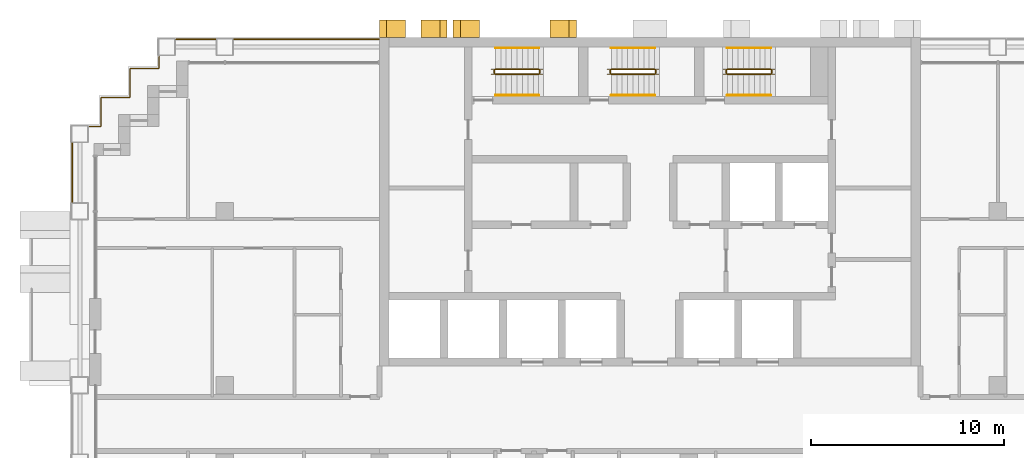
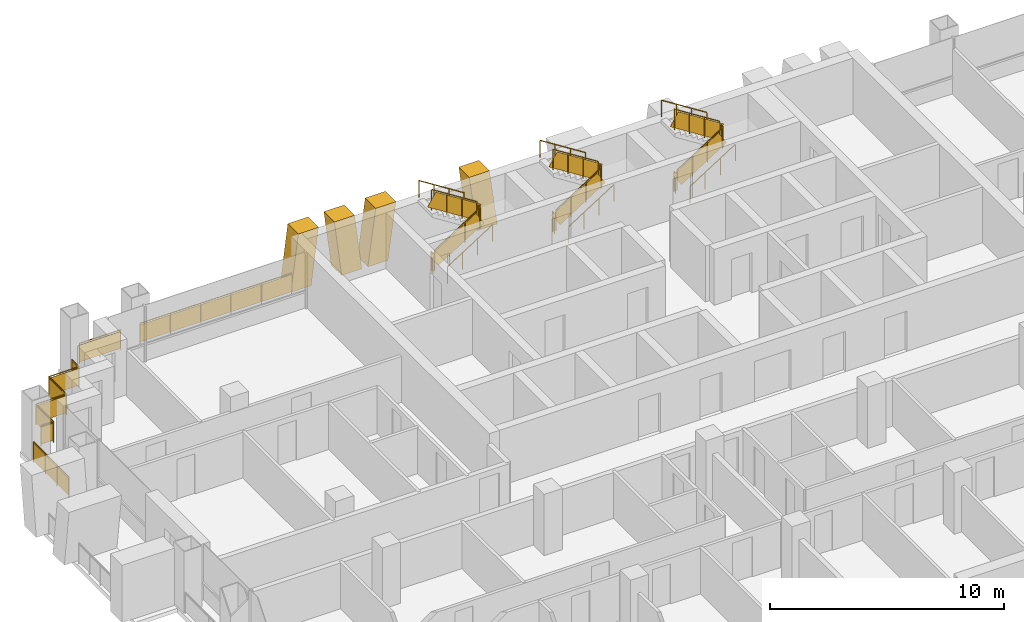
# One storey, part 17 of 19: 22 railings, 4 shading devices.
"""IFC4 building model written with IfcOpenShell, lengths in metres."""

from ifc_helpers import new_model, si_unit, direction, frame, origin, origin_2d, place, context, subcontext, project, spatial, polyline, rectangle, circle, outline, extrude, material, layer, layer_set, type_object, element, save


model = new_model("IFC4")

# Units and contexts
model_context = context("Model", 3, precision=1e-05, world=origin(), true_north=direction((0.0, 1.0)))
body_context = subcontext(model_context, "Body", "Model", "MODEL_VIEW")
ifc_project = project(units=[si_unit("LENGTHUNIT", "METRE"), si_unit("AREAUNIT", "SQUARE_METRE"), si_unit("VOLUMEUNIT", "CUBIC_METRE"), si_unit("PLANEANGLEUNIT", "RADIAN"), si_unit("MASSUNIT", "GRAM", prefix="KILO")], contexts=[model_context])

# Site, building, storey
site_placement = place(None, origin())
site = spatial("IfcSite", under=ifc_project, at=site_placement, CompositionType="ELEMENT")
building_placement = place(site_placement, origin())
building = spatial("IfcBuilding", under=site, at=building_placement, Name="Vidyagriha Tower", CompositionType="ELEMENT")
storey_placement = place(building_placement, frame((0.0, 0.0, 99.89990234375)))
storey = spatial("IfcBuildingStorey", under=building, at=storey_placement, Name="L26", CompositionType="ELEMENT", Elevation=99.89990234375)

# Shading devices
ifc_material_1 = material(Name="Precast concrete C40/50 with brick facing", Category="concrete")
ifc_layer = layer(ifc_material_1, 1.0)
ifc_layer_set = layer_set([ifc_layer], Name="Precast concrete C40/50 with brick facing")
shading_device_type = type_object("IfcShadingDeviceType", Name="Brick-faced rear rib arm leaning 8 degrees", PredefinedType="USERDEFINED", material=ifc_layer_set)
shading_device_1_placement = place(storey_placement, frame((-8.814208984375, 20.449951171875, 0.0), z_axis=(0.0, 0.0, 1.0), x_axis=(-1.0, 0.0, 0.0)))
element("IfcShadingDevice", 1, at=shading_device_1_placement, inside=storey, type_object=shading_device_type, Name="Rear rib arm L26 R08.4a", ObjectType="BLADE FIN", PredefinedType="USERDEFINED", context=body_context, shape_type="SweptSolid", body=[
    extrude(outline(polyline([(0.3857421875, 0.0), (1.3857421875, 0.0), (1.0, 2.920166015625), (0.0, 2.920166015625), (0.3857421875, 0.0)])), frame((0.0, 0.449951171875, 0.0), z_axis=(0.0, -1.0, 0.0), x_axis=(1.0, 0.0, 0.0)), (0.0, 0.0, 1.0), 0.89990234375),
])
shading_device_2_placement = place(storey_placement, frame((-3.800048828125, 20.449951171875, 0.0), z_axis=(0.0, 0.0, 1.0), x_axis=(-1.0, 0.0, 0.0)))
element("IfcShadingDevice", 2, at=shading_device_2_placement, inside=storey, type_object=shading_device_type, Name="Rear rib arm L26 R08.4b", ObjectType="BLADE FIN", PredefinedType="USERDEFINED", context=body_context, shape_type="SweptSolid", body=[
    extrude(outline(polyline([(0.0, 0.0), (1.0, 0.0), (1.3857421875, 2.920166015625), (0.3857421875, 2.920166015625), (0.0, 0.0)])), frame((0.0, 0.449951171875, 0.0), z_axis=(0.0, -1.0, 0.0), x_axis=(1.0, 0.0, 0.0)), (0.0, 0.0, 1.0), 0.89990234375),
])
shading_device_3_placement = place(storey_placement, frame((-12.642822265625, 20.449951171875, 0.0), z_axis=(0.0, 0.0, 1.0), x_axis=(-1.0, 0.0, 0.0)))
element("IfcShadingDevice", 3, at=shading_device_3_placement, inside=storey, type_object=shading_device_type, Name="Rear rib arm L26 R08.5a", ObjectType="BLADE FIN", PredefinedType="USERDEFINED", context=body_context, shape_type="SweptSolid", body=[
    extrude(outline(polyline([(0.357177734375, 0.0), (1.357177734375, 0.0), (1.0, 2.920166015625), (0.0, 2.920166015625), (0.357177734375, 0.0)])), frame((0.0, 0.449951171875, 0.0), z_axis=(0.0, -1.0, 0.0), x_axis=(1.0, 0.0, 0.0)), (0.0, 0.0, 1.0), 0.89990234375),
])
shading_device_4_placement = place(storey_placement, frame((-10.5, 20.449951171875, 0.0), z_axis=(0.0, 0.0, 1.0), x_axis=(-1.0, 0.0, 0.0)))
element("IfcShadingDevice", 4, at=shading_device_4_placement, inside=storey, type_object=shading_device_type, Name="Rear rib arm L26 R08.5b", ObjectType="BLADE FIN", PredefinedType="USERDEFINED", context=body_context, shape_type="SweptSolid", body=[
    extrude(outline(polyline([(0.0, 0.0), (1.0, 0.0), (1.357177734375, 2.920166015625), (0.357177734375, 2.920166015625), (0.0, 0.0)])), frame((0.0, 0.449951171875, 0.0), z_axis=(0.0, -1.0, 0.0), x_axis=(1.0, 0.0, 0.0)), (0.0, 0.0, 1.0), 0.89990234375),
])

# Railings
ifc_material_2 = material(Name="Steel ASTM A500 Grade C black painted", Category="steel")
railing_type_1 = type_object("IfcRailingType", Name="Gallery guard 1100", PredefinedType="GUARDRAIL", material=ifc_material_2)
railing_1_placement = place(storey_placement, frame((-29.89990234375, 11.47998046875, 0.0)))
element("IfcRailing", 5, at=railing_1_placement, inside=storey, type_object=railing_type_1, Name="Gallery guard L26 3", PredefinedType="GUARDRAIL", context=body_context, shape_type="SweptSolid", body=[
    extrude(circle(Radius=0.02490234375, at=origin_2d()), frame((0.0, 0.0, 1.0751953125), z_axis=(0.0, 1.0, 0.0), x_axis=(-1.0, 0.0, 0.0)), (0.0, 0.0, 1.0), 3.0400390625),
    extrude(circle(Radius=0.02001953125, at=origin_2d()), origin(), (0.0, 0.0, 1.0), 1.050048828125),
    extrude(circle(Radius=0.02001953125, at=origin_2d()), frame((0.0, 1.013427734375, 0.0)), (0.0, 0.0, 1.0), 1.050048828125),
    extrude(circle(Radius=0.02001953125, at=origin_2d()), frame((0.0, 2.026611328125, 0.0)), (0.0, 0.0, 1.0), 1.050048828125),
    extrude(circle(Radius=0.02001953125, at=origin_2d()), frame((0.0, 3.0400390625, 0.0)), (0.0, 0.0, 1.0), 1.050048828125),
    extrude(rectangle(XDim=0.010009765625, YDim=0.900146484375, at=origin_2d()), frame((0.0, 0.0, 0.550048828125), z_axis=(0.0, 1.0, 0.0), x_axis=(-1.0, 0.0, 0.0)), (0.0, 0.0, 1.0), 3.0400390625),
])
railing_2_placement = place(storey_placement, frame((-29.02001953125, 15.39990234375, 0.0)))
element("IfcRailing", 6, at=railing_2_placement, inside=storey, type_object=railing_type_1, Name="Gallery guard L26 5", PredefinedType="GUARDRAIL", context=body_context, shape_type="SweptSolid", body=[
    extrude(circle(Radius=0.02490234375, at=origin_2d()), frame((0.0, 0.0, 1.0751953125), z_axis=(1.0, 0.0, 0.0), x_axis=(0.0, 1.0, 0.0)), (0.0, 0.0, 1.0), 0.6201171875),
    extrude(circle(Radius=0.02490234375, at=origin_2d()), frame((0.6201171875, 0.0, 1.0751953125), z_axis=(0.0, 1.0, 0.0), x_axis=(-1.0, 0.0, 0.0)), (0.0, 0.0, 1.0), 1.5),
    extrude(circle(Radius=0.02490234375, at=origin_2d()), frame((0.6201171875, 1.5, 1.0751953125), z_axis=(1.0, 0.0, 0.0), x_axis=(0.0, 1.0, 0.0)), (0.0, 0.0, 1.0), 1.5),
    extrude(circle(Radius=0.02490234375, at=origin_2d()), frame((2.1201171875, 1.5, 1.0751953125), z_axis=(0.0, 1.0, 0.0), x_axis=(-1.0, 0.0, 0.0)), (0.0, 0.0, 1.0), 1.5),
    extrude(circle(Radius=0.02490234375, at=origin_2d()), frame((2.1201171875, 3.0, 1.0751953125), z_axis=(1.0, 0.0, 0.0), x_axis=(0.0, 1.0, 0.0)), (0.0, 0.0, 1.0), 1.5),
    extrude(circle(Radius=0.02490234375, at=origin_2d()), frame((3.6201171875, 3.0, 1.0751953125), z_axis=(0.0, 1.0, 0.0), x_axis=(-1.0, 0.0, 0.0)), (0.0, 0.0, 1.0), 0.6201171875),
    extrude(circle(Radius=0.02001953125, at=origin_2d()), origin(), (0.0, 0.0, 1.0), 1.050048828125),
    extrude(circle(Radius=0.02001953125, at=origin_2d()), frame((0.6201171875, 0.0, 0.0)), (0.0, 0.0, 1.0), 1.050048828125),
    extrude(circle(Radius=0.02001953125, at=origin_2d()), frame((0.6201171875, 1.5, 0.0)), (0.0, 0.0, 1.0), 1.050048828125),
    extrude(circle(Radius=0.02001953125, at=origin_2d()), frame((2.1201171875, 1.5, 0.0)), (0.0, 0.0, 1.0), 1.050048828125),
    extrude(circle(Radius=0.02001953125, at=origin_2d()), frame((2.1201171875, 3.0, 0.0)), (0.0, 0.0, 1.0), 1.050048828125),
    extrude(circle(Radius=0.02001953125, at=origin_2d()), frame((3.6201171875, 3.0, 0.0)), (0.0, 0.0, 1.0), 1.050048828125),
    extrude(circle(Radius=0.02001953125, at=origin_2d()), frame((3.6201171875, 3.6201171875, 0.0)), (0.0, 0.0, 1.0), 1.050048828125),
    extrude(rectangle(XDim=0.010009765625, YDim=0.900146484375, at=origin_2d()), frame((0.0, 0.0, 0.550048828125), z_axis=(1.0, 0.0, 0.0), x_axis=(0.0, 1.0, 0.0)), (0.0, 0.0, 1.0), 0.6201171875),
    extrude(rectangle(XDim=0.010009765625, YDim=0.900146484375, at=origin_2d()), frame((0.6201171875, 0.0, 0.550048828125), z_axis=(0.0, 1.0, 0.0), x_axis=(-1.0, 0.0, 0.0)), (0.0, 0.0, 1.0), 1.5),
    extrude(rectangle(XDim=0.010009765625, YDim=0.900146484375, at=origin_2d()), frame((0.6201171875, 1.5, 0.550048828125), z_axis=(1.0, 0.0, 0.0), x_axis=(0.0, 1.0, 0.0)), (0.0, 0.0, 1.0), 1.5),
    extrude(rectangle(XDim=0.010009765625, YDim=0.900146484375, at=origin_2d()), frame((2.1201171875, 1.5, 0.550048828125), z_axis=(0.0, 1.0, 0.0), x_axis=(-1.0, 0.0, 0.0)), (0.0, 0.0, 1.0), 1.5),
    extrude(rectangle(XDim=0.010009765625, YDim=0.900146484375, at=origin_2d()), frame((2.1201171875, 3.0, 0.550048828125), z_axis=(1.0, 0.0, 0.0), x_axis=(0.0, 1.0, 0.0)), (0.0, 0.0, 1.0), 1.5),
    extrude(rectangle(XDim=0.010009765625, YDim=0.900146484375, at=origin_2d()), frame((3.6201171875, 3.0, 0.550048828125), z_axis=(0.0, 1.0, 0.0), x_axis=(-1.0, 0.0, 0.0)), (0.0, 0.0, 1.0), 0.6201171875),
])
railing_3_placement = place(storey_placement, frame((-24.52001953125, 19.89990234375, 0.0)))
element("IfcRailing", 7, at=railing_3_placement, inside=storey, type_object=railing_type_1, Name="Gallery guard L26 7", PredefinedType="GUARDRAIL", context=body_context, shape_type="SweptSolid", body=[
    extrude(circle(Radius=0.02490234375, at=origin_2d()), frame((0.0, 0.0, 1.0751953125), z_axis=(1.0, 0.0, 0.0), x_axis=(0.0, 1.0, 0.0)), (0.0, 0.0, 1.0), 2.0400390625),
    extrude(circle(Radius=0.02001953125, at=origin_2d()), origin(), (0.0, 0.0, 1.0), 1.050048828125),
    extrude(circle(Radius=0.02001953125, at=origin_2d()), frame((1.02001953125, 0.0, 0.0)), (0.0, 0.0, 1.0), 1.050048828125),
    extrude(circle(Radius=0.02001953125, at=origin_2d()), frame((2.0400390625, 0.0, 0.0)), (0.0, 0.0, 1.0), 1.050048828125),
    extrude(rectangle(XDim=0.010009765625, YDim=0.900146484375, at=origin_2d()), frame((0.0, 0.0, 0.550048828125), z_axis=(1.0, 0.0, 0.0), x_axis=(0.0, 1.0, 0.0)), (0.0, 0.0, 1.0), 2.0400390625),
])
railing_4_placement = place(storey_placement, frame((-21.52001953125, 19.89990234375, 0.0)))
element("IfcRailing", 8, at=railing_4_placement, inside=storey, type_object=railing_type_1, Name="Gallery guard L26 8", PredefinedType="GUARDRAIL", context=body_context, shape_type="SweptSolid", body=[
    extrude(circle(Radius=0.02490234375, at=origin_2d()), frame((0.0, 0.0, 1.0751953125), z_axis=(1.0, 0.0, 0.0), x_axis=(0.0, 1.0, 0.0)), (0.0, 0.0, 1.0), 7.489990234375),
    extrude(circle(Radius=0.02001953125, at=origin_2d()), origin(), (0.0, 0.0, 1.0), 1.050048828125),
    extrude(circle(Radius=0.02001953125, at=origin_2d()), frame((1.498046875, 0.0, 0.0)), (0.0, 0.0, 1.0), 1.050048828125),
    extrude(circle(Radius=0.02001953125, at=origin_2d()), frame((2.99609375, 0.0, 0.0)), (0.0, 0.0, 1.0), 1.050048828125),
    extrude(circle(Radius=0.02001953125, at=origin_2d()), frame((4.493896484375, 0.0, 0.0)), (0.0, 0.0, 1.0), 1.050048828125),
    extrude(circle(Radius=0.02001953125, at=origin_2d()), frame((5.991943359375, 0.0, 0.0)), (0.0, 0.0, 1.0), 1.050048828125),
    extrude(circle(Radius=0.02001953125, at=origin_2d()), frame((7.489990234375, 0.0, 0.0)), (0.0, 0.0, 1.0), 1.050048828125),
    extrude(rectangle(XDim=0.010009765625, YDim=0.900146484375, at=origin_2d()), frame((0.0, 0.0, 0.550048828125), z_axis=(1.0, 0.0, 0.0), x_axis=(0.0, 1.0, 0.0)), (0.0, 0.0, 1.0), 7.489990234375),
])
ifc_material_3 = material(Name="Steel ASTM A500 Grade C", Category="steel")
railing_type_2 = type_object("IfcRailingType", Name="Stair guard 1100 mm, steel balustrade", PredefinedType="GUARDRAIL", material=ifc_material_3)
railing_5_placement = place(storey_placement, frame((-8.0, 18.10009765625, 0.177978515625)))
element("IfcRailing", 9, at=railing_5_placement, inside=storey, type_object=railing_type_2, Name="L26 ST1 stair guard 1", PredefinedType="GUARDRAIL", context=body_context, shape_type="SweptSolid", body=[
    extrude(circle(Radius=0.02392578125, at=origin_2d()), frame((0.0, 0.0, 1.076171875), z_axis=(0.8442293374, 0.0, 0.53598211339), x_axis=(0.0, 1.0, 0.0)), (0.0, 0.0, 1.0), 2.6533203125),
    extrude(circle(Radius=0.02099609375, at=origin_2d()), origin(), (0.0, 0.0, 1.0), 1.052001953125),
    extrude(circle(Radius=0.02099609375, at=origin_2d()), frame((0.74658203125, 0.0, 0.47412109375)), (0.0, 0.0, 1.0), 1.052001953125),
    extrude(circle(Radius=0.02099609375, at=origin_2d()), frame((1.493408203125, 0.0, 0.947998046875)), (0.0, 0.0, 1.0), 1.052001953125),
    extrude(circle(Radius=0.02099609375, at=origin_2d()), frame((2.239990234375, 0.0, 1.422119140625)), (0.0, 0.0, 1.0), 1.052001953125),
    extrude(rectangle(XDim=0.010009765625, YDim=0.761474609375, at=origin_2d()), frame((0.0, 0.0, 0.551025390625), z_axis=(0.8442293374, 0.0, 0.53598211339), x_axis=(0.0, 1.0, 0.0)), (0.0, 0.0, 1.0), 2.6533203125),
])
railing_6_placement = place(storey_placement, frame((-5.7099609375, 18.14990234375, 1.60009765625)))
element("IfcRailing", 10, at=railing_6_placement, inside=storey, type_object=railing_type_2, Name="L26 ST1 stair guard 2", PredefinedType="GUARDRAIL", context=body_context, shape_type="SweptSolid", body=[
    extrude(circle(Radius=0.02392578125, at=origin_2d()), frame((0.0, 0.0, 1.076171875), z_axis=(0.0, 1.0, 0.0), x_axis=(-1.0, 0.0, 0.0)), (0.0, 0.0, 1.0), 0.150146484375),
    extrude(circle(Radius=0.02099609375, at=origin_2d()), origin(), (0.0, 0.0, 1.0), 1.052001953125),
    extrude(circle(Radius=0.02099609375, at=origin_2d()), frame((0.0, 0.150146484375, 0.0)), (0.0, 0.0, 1.0), 1.052001953125),
    extrude(rectangle(XDim=0.010009765625, YDim=0.902099609375, at=origin_2d()), frame((0.0, 0.0, 0.551025390625), z_axis=(0.0, 1.0, 0.0), x_axis=(-1.0, 0.0, 0.0)), (0.0, 0.0, 1.0), 0.150146484375),
])
railing_7_placement = place(storey_placement, frame((-5.760009765625, 18.35009765625, 1.77783203125)))
element("IfcRailing", 11, at=railing_7_placement, inside=storey, type_object=railing_type_2, Name="L26 ST1 stair guard 3", PredefinedType="GUARDRAIL", context=body_context, shape_type="SweptSolid", body=[
    extrude(circle(Radius=0.02392578125, at=origin_2d()), frame((0.0, 0.0, 1.076171875), z_axis=(-0.84418770128, 0.0, 0.536047689118), x_axis=(0.0, -1.0, 0.0)), (0.0, 0.0, 1.0), 2.6533203125),
    extrude(circle(Radius=0.02099609375, at=origin_2d()), origin(), (0.0, 0.0, 1.0), 1.052001953125),
    extrude(circle(Radius=0.02099609375, at=origin_2d()), frame((-0.74658203125, 0.0, 0.47412109375)), (0.0, 0.0, 1.0), 1.052001953125),
    extrude(circle(Radius=0.02099609375, at=origin_2d()), frame((-1.493408203125, 0.0, 0.9482421875)), (0.0, 0.0, 1.0), 1.052001953125),
    extrude(circle(Radius=0.02099609375, at=origin_2d()), frame((-2.239990234375, 0.0, 1.42236328125)), (0.0, 0.0, 1.0), 1.052001953125),
    extrude(rectangle(XDim=0.010009765625, YDim=0.761474609375, at=origin_2d()), frame((0.0, 0.0, 0.551025390625), z_axis=(-0.84418770128, 0.0, 0.536047689118), x_axis=(0.0, -1.0, 0.0)), (0.0, 0.0, 1.0), 2.6533203125),
])
railing_8_placement = place(storey_placement, frame((-8.050048828125, 18.14990234375, 0.0)))
element("IfcRailing", 12, at=railing_8_placement, inside=storey, type_object=railing_type_2, Name="L26 ST1 stair guard 4", PredefinedType="GUARDRAIL", context=body_context, shape_type="SweptSolid", body=[
    extrude(circle(Radius=0.02392578125, at=origin_2d()), frame((0.0, 0.0, 1.076171875), z_axis=(0.0, 1.0, 0.0), x_axis=(-1.0, 0.0, 0.0)), (0.0, 0.0, 1.0), 0.150146484375),
    extrude(circle(Radius=0.02099609375, at=origin_2d()), origin(), (0.0, 0.0, 1.0), 1.052001953125),
    extrude(circle(Radius=0.02099609375, at=origin_2d()), frame((0.0, 0.150146484375, 0.0)), (0.0, 0.0, 1.0), 1.052001953125),
    extrude(rectangle(XDim=0.010009765625, YDim=0.902099609375, at=origin_2d()), frame((0.0, 0.0, 0.551025390625), z_axis=(0.0, 1.0, 0.0), x_axis=(-1.0, 0.0, 0.0)), (0.0, 0.0, 1.0), 0.150146484375),
])
railing_9_placement = place(storey_placement, frame((-2.0, 18.10009765625, 0.177978515625)))
element("IfcRailing", 13, at=railing_9_placement, inside=storey, type_object=railing_type_2, Name="L26 ST2 stair guard 1", PredefinedType="GUARDRAIL", context=body_context, shape_type="SweptSolid", body=[
    extrude(circle(Radius=0.02392578125, at=origin_2d()), frame((0.0, 0.0, 1.076171875), z_axis=(0.8442293374, 0.0, 0.53598211339), x_axis=(0.0, 1.0, 0.0)), (0.0, 0.0, 1.0), 2.6533203125),
    extrude(circle(Radius=0.02099609375, at=origin_2d()), origin(), (0.0, 0.0, 1.0), 1.052001953125),
    extrude(circle(Radius=0.02099609375, at=origin_2d()), frame((0.74658203125, 0.0, 0.47412109375)), (0.0, 0.0, 1.0), 1.052001953125),
    extrude(circle(Radius=0.02099609375, at=origin_2d()), frame((1.493408203125, 0.0, 0.947998046875)), (0.0, 0.0, 1.0), 1.052001953125),
    extrude(circle(Radius=0.02099609375, at=origin_2d()), frame((2.239990234375, 0.0, 1.422119140625)), (0.0, 0.0, 1.0), 1.052001953125),
    extrude(rectangle(XDim=0.010009765625, YDim=0.761474609375, at=origin_2d()), frame((0.0, 0.0, 0.551025390625), z_axis=(0.8442293374, 0.0, 0.53598211339), x_axis=(0.0, 1.0, 0.0)), (0.0, 0.0, 1.0), 2.6533203125),
])
railing_10_placement = place(storey_placement, frame((0.2900390625, 18.14990234375, 1.60009765625)))
element("IfcRailing", 14, at=railing_10_placement, inside=storey, type_object=railing_type_2, Name="L26 ST2 stair guard 2", PredefinedType="GUARDRAIL", context=body_context, shape_type="SweptSolid", body=[
    extrude(circle(Radius=0.02392578125, at=origin_2d()), frame((0.0, 0.0, 1.076171875), z_axis=(0.0, 1.0, 0.0), x_axis=(-1.0, 0.0, 0.0)), (0.0, 0.0, 1.0), 0.150146484375),
    extrude(circle(Radius=0.02099609375, at=origin_2d()), origin(), (0.0, 0.0, 1.0), 1.052001953125),
    extrude(circle(Radius=0.02099609375, at=origin_2d()), frame((0.0, 0.150146484375, 0.0)), (0.0, 0.0, 1.0), 1.052001953125),
    extrude(rectangle(XDim=0.010009765625, YDim=0.902099609375, at=origin_2d()), frame((0.0, 0.0, 0.551025390625), z_axis=(0.0, 1.0, 0.0), x_axis=(-1.0, 0.0, 0.0)), (0.0, 0.0, 1.0), 0.150146484375),
])
railing_11_placement = place(storey_placement, frame((0.239990234375, 18.35009765625, 1.77783203125)))
element("IfcRailing", 15, at=railing_11_placement, inside=storey, type_object=railing_type_2, Name="L26 ST2 stair guard 3", PredefinedType="GUARDRAIL", context=body_context, shape_type="SweptSolid", body=[
    extrude(circle(Radius=0.02392578125, at=origin_2d()), frame((0.0, 0.0, 1.076171875), z_axis=(-0.84418770128, 0.0, 0.536047689118), x_axis=(0.0, -1.0, 0.0)), (0.0, 0.0, 1.0), 2.6533203125),
    extrude(circle(Radius=0.02099609375, at=origin_2d()), origin(), (0.0, 0.0, 1.0), 1.052001953125),
    extrude(circle(Radius=0.02099609375, at=origin_2d()), frame((-0.74658203125, 0.0, 0.47412109375)), (0.0, 0.0, 1.0), 1.052001953125),
    extrude(circle(Radius=0.02099609375, at=origin_2d()), frame((-1.493408203125, 0.0, 0.9482421875)), (0.0, 0.0, 1.0), 1.052001953125),
    extrude(circle(Radius=0.02099609375, at=origin_2d()), frame((-2.239990234375, 0.0, 1.42236328125)), (0.0, 0.0, 1.0), 1.052001953125),
    extrude(rectangle(XDim=0.010009765625, YDim=0.761474609375, at=origin_2d()), frame((0.0, 0.0, 0.551025390625), z_axis=(-0.84418770128, 0.0, 0.536047689118), x_axis=(0.0, -1.0, 0.0)), (0.0, 0.0, 1.0), 2.6533203125),
])
railing_12_placement = place(storey_placement, frame((-2.050048828125, 18.14990234375, 0.0)))
element("IfcRailing", 16, at=railing_12_placement, inside=storey, type_object=railing_type_2, Name="L26 ST2 stair guard 4", PredefinedType="GUARDRAIL", context=body_context, shape_type="SweptSolid", body=[
    extrude(circle(Radius=0.02392578125, at=origin_2d()), frame((0.0, 0.0, 1.076171875), z_axis=(0.0, 1.0, 0.0), x_axis=(-1.0, 0.0, 0.0)), (0.0, 0.0, 1.0), 0.150146484375),
    extrude(circle(Radius=0.02099609375, at=origin_2d()), origin(), (0.0, 0.0, 1.0), 1.052001953125),
    extrude(circle(Radius=0.02099609375, at=origin_2d()), frame((0.0, 0.150146484375, 0.0)), (0.0, 0.0, 1.0), 1.052001953125),
    extrude(rectangle(XDim=0.010009765625, YDim=0.902099609375, at=origin_2d()), frame((0.0, 0.0, 0.551025390625), z_axis=(0.0, 1.0, 0.0), x_axis=(-1.0, 0.0, 0.0)), (0.0, 0.0, 1.0), 0.150146484375),
])
railing_13_placement = place(storey_placement, frame((4.0, 18.10009765625, 0.177978515625)))
element("IfcRailing", 17, at=railing_13_placement, inside=storey, type_object=railing_type_2, Name="L26 ST3 stair guard 1", PredefinedType="GUARDRAIL", context=body_context, shape_type="SweptSolid", body=[
    extrude(circle(Radius=0.02392578125, at=origin_2d()), frame((0.0, 0.0, 1.076171875), z_axis=(0.8442293374, 0.0, 0.53598211339), x_axis=(0.0, 1.0, 0.0)), (0.0, 0.0, 1.0), 2.6533203125),
    extrude(circle(Radius=0.02099609375, at=origin_2d()), origin(), (0.0, 0.0, 1.0), 1.052001953125),
    extrude(circle(Radius=0.02099609375, at=origin_2d()), frame((0.74658203125, 0.0, 0.47412109375)), (0.0, 0.0, 1.0), 1.052001953125),
    extrude(circle(Radius=0.02099609375, at=origin_2d()), frame((1.493408203125, 0.0, 0.947998046875)), (0.0, 0.0, 1.0), 1.052001953125),
    extrude(circle(Radius=0.02099609375, at=origin_2d()), frame((2.239990234375, 0.0, 1.422119140625)), (0.0, 0.0, 1.0), 1.052001953125),
    extrude(rectangle(XDim=0.010009765625, YDim=0.761474609375, at=origin_2d()), frame((0.0, 0.0, 0.551025390625), z_axis=(0.8442293374, 0.0, 0.53598211339), x_axis=(0.0, 1.0, 0.0)), (0.0, 0.0, 1.0), 2.6533203125),
])
railing_14_placement = place(storey_placement, frame((6.2900390625, 18.14990234375, 1.60009765625)))
element("IfcRailing", 18, at=railing_14_placement, inside=storey, type_object=railing_type_2, Name="L26 ST3 stair guard 2", PredefinedType="GUARDRAIL", context=body_context, shape_type="SweptSolid", body=[
    extrude(circle(Radius=0.02392578125, at=origin_2d()), frame((0.0, 0.0, 1.076171875), z_axis=(0.0, 1.0, 0.0), x_axis=(-1.0, 0.0, 0.0)), (0.0, 0.0, 1.0), 0.150146484375),
    extrude(circle(Radius=0.02099609375, at=origin_2d()), origin(), (0.0, 0.0, 1.0), 1.052001953125),
    extrude(circle(Radius=0.02099609375, at=origin_2d()), frame((0.0, 0.150146484375, 0.0)), (0.0, 0.0, 1.0), 1.052001953125),
    extrude(rectangle(XDim=0.010009765625, YDim=0.902099609375, at=origin_2d()), frame((0.0, 0.0, 0.551025390625), z_axis=(0.0, 1.0, 0.0), x_axis=(-1.0, 0.0, 0.0)), (0.0, 0.0, 1.0), 0.150146484375),
])
railing_15_placement = place(storey_placement, frame((6.239990234375, 18.35009765625, 1.77783203125)))
element("IfcRailing", 19, at=railing_15_placement, inside=storey, type_object=railing_type_2, Name="L26 ST3 stair guard 3", PredefinedType="GUARDRAIL", context=body_context, shape_type="SweptSolid", body=[
    extrude(circle(Radius=0.02392578125, at=origin_2d()), frame((0.0, 0.0, 1.076171875), z_axis=(-0.84418770128, 0.0, 0.536047689118), x_axis=(0.0, -1.0, 0.0)), (0.0, 0.0, 1.0), 2.6533203125),
    extrude(circle(Radius=0.02099609375, at=origin_2d()), origin(), (0.0, 0.0, 1.0), 1.052001953125),
    extrude(circle(Radius=0.02099609375, at=origin_2d()), frame((-0.74658203125, 0.0, 0.47412109375)), (0.0, 0.0, 1.0), 1.052001953125),
    extrude(circle(Radius=0.02099609375, at=origin_2d()), frame((-1.493408203125, 0.0, 0.9482421875)), (0.0, 0.0, 1.0), 1.052001953125),
    extrude(circle(Radius=0.02099609375, at=origin_2d()), frame((-2.239990234375, 0.0, 1.42236328125)), (0.0, 0.0, 1.0), 1.052001953125),
    extrude(rectangle(XDim=0.010009765625, YDim=0.761474609375, at=origin_2d()), frame((0.0, 0.0, 0.551025390625), z_axis=(-0.84418770128, 0.0, 0.536047689118), x_axis=(0.0, -1.0, 0.0)), (0.0, 0.0, 1.0), 2.6533203125),
])
railing_16_placement = place(storey_placement, frame((3.949951171875, 18.14990234375, 0.0)))
element("IfcRailing", 20, at=railing_16_placement, inside=storey, type_object=railing_type_2, Name="L26 ST3 stair guard 4", PredefinedType="GUARDRAIL", context=body_context, shape_type="SweptSolid", body=[
    extrude(circle(Radius=0.02392578125, at=origin_2d()), frame((0.0, 0.0, 1.076171875), z_axis=(0.0, 1.0, 0.0), x_axis=(-1.0, 0.0, 0.0)), (0.0, 0.0, 1.0), 0.150146484375),
    extrude(circle(Radius=0.02099609375, at=origin_2d()), origin(), (0.0, 0.0, 1.0), 1.052001953125),
    extrude(circle(Radius=0.02099609375, at=origin_2d()), frame((0.0, 0.150146484375, 0.0)), (0.0, 0.0, 1.0), 1.052001953125),
    extrude(rectangle(XDim=0.010009765625, YDim=0.902099609375, at=origin_2d()), frame((0.0, 0.0, 0.551025390625), z_axis=(0.0, 1.0, 0.0), x_axis=(-1.0, 0.0, 0.0)), (0.0, 0.0, 1.0), 0.150146484375),
])
ifc_material_4 = material(Name="Steel ASTM A500 Grade C", Category="steel")
railing_type_3 = type_object("IfcRailingType", Name="Stair handrail 900 mm, steel", PredefinedType="HANDRAIL", material=ifc_material_4)
railing_17_placement = place(storey_placement, frame((-8.0, 17.0, 0.177978515625)))
element("IfcRailing", 21, at=railing_17_placement, inside=storey, type_object=railing_type_3, Name="L26 ST1 stair handrail 1", PredefinedType="HANDRAIL", context=body_context, shape_type="SweptSolid", body=[
    extrude(circle(Radius=0.02392578125, at=origin_2d()), frame((0.0, 0.0, 0.8759765625), z_axis=(0.8442293374, 0.0, 0.53598211339), x_axis=(0.0, 1.0, 0.0)), (0.0, 0.0, 1.0), 2.6533203125),
    extrude(circle(Radius=0.02099609375, at=origin_2d()), origin(), (0.0, 0.0, 1.0), 0.851806640625),
    extrude(circle(Radius=0.02099609375, at=origin_2d()), frame((0.74658203125, 0.0, 0.47412109375)), (0.0, 0.0, 1.0), 0.851806640625),
    extrude(circle(Radius=0.02099609375, at=origin_2d()), frame((1.493408203125, 0.0, 0.947998046875)), (0.0, 0.0, 1.0), 0.851806640625),
    extrude(circle(Radius=0.02099609375, at=origin_2d()), frame((2.239990234375, 0.0, 1.422119140625)), (0.0, 0.0, 1.0), 0.851806640625),
])
railing_18_placement = place(storey_placement, frame((-5.760009765625, 19.449951171875, 1.77783203125)))
element("IfcRailing", 22, at=railing_18_placement, inside=storey, type_object=railing_type_3, Name="L26 ST1 stair handrail 2", PredefinedType="HANDRAIL", context=body_context, shape_type="SweptSolid", body=[
    extrude(circle(Radius=0.02392578125, at=origin_2d()), frame((0.0, 0.0, 0.8759765625), z_axis=(-0.84418770128, 0.0, 0.536047689118), x_axis=(0.0, -1.0, 0.0)), (0.0, 0.0, 1.0), 2.6533203125),
    extrude(circle(Radius=0.02099609375, at=origin_2d()), origin(), (0.0, 0.0, 1.0), 0.851806640625),
    extrude(circle(Radius=0.02099609375, at=origin_2d()), frame((-0.74658203125, 0.0, 0.47412109375)), (0.0, 0.0, 1.0), 0.851806640625),
    extrude(circle(Radius=0.02099609375, at=origin_2d()), frame((-1.493408203125, 0.0, 0.9482421875)), (0.0, 0.0, 1.0), 0.851806640625),
    extrude(circle(Radius=0.02099609375, at=origin_2d()), frame((-2.239990234375, 0.0, 1.42236328125)), (0.0, 0.0, 1.0), 0.851806640625),
])
railing_19_placement = place(storey_placement, frame((-2.0, 17.0, 0.177978515625)))
element("IfcRailing", 23, at=railing_19_placement, inside=storey, type_object=railing_type_3, Name="L26 ST2 stair handrail 1", PredefinedType="HANDRAIL", context=body_context, shape_type="SweptSolid", body=[
    extrude(circle(Radius=0.02392578125, at=origin_2d()), frame((0.0, 0.0, 0.8759765625), z_axis=(0.8442293374, 0.0, 0.53598211339), x_axis=(0.0, 1.0, 0.0)), (0.0, 0.0, 1.0), 2.6533203125),
    extrude(circle(Radius=0.02099609375, at=origin_2d()), origin(), (0.0, 0.0, 1.0), 0.851806640625),
    extrude(circle(Radius=0.02099609375, at=origin_2d()), frame((0.74658203125, 0.0, 0.47412109375)), (0.0, 0.0, 1.0), 0.851806640625),
    extrude(circle(Radius=0.02099609375, at=origin_2d()), frame((1.493408203125, 0.0, 0.947998046875)), (0.0, 0.0, 1.0), 0.851806640625),
    extrude(circle(Radius=0.02099609375, at=origin_2d()), frame((2.239990234375, 0.0, 1.422119140625)), (0.0, 0.0, 1.0), 0.851806640625),
])
railing_20_placement = place(storey_placement, frame((0.239990234375, 19.449951171875, 1.77783203125)))
element("IfcRailing", 24, at=railing_20_placement, inside=storey, type_object=railing_type_3, Name="L26 ST2 stair handrail 2", PredefinedType="HANDRAIL", context=body_context, shape_type="SweptSolid", body=[
    extrude(circle(Radius=0.02392578125, at=origin_2d()), frame((0.0, 0.0, 0.8759765625), z_axis=(-0.84418770128, 0.0, 0.536047689118), x_axis=(0.0, -1.0, 0.0)), (0.0, 0.0, 1.0), 2.6533203125),
    extrude(circle(Radius=0.02099609375, at=origin_2d()), origin(), (0.0, 0.0, 1.0), 0.851806640625),
    extrude(circle(Radius=0.02099609375, at=origin_2d()), frame((-0.74658203125, 0.0, 0.47412109375)), (0.0, 0.0, 1.0), 0.851806640625),
    extrude(circle(Radius=0.02099609375, at=origin_2d()), frame((-1.493408203125, 0.0, 0.9482421875)), (0.0, 0.0, 1.0), 0.851806640625),
    extrude(circle(Radius=0.02099609375, at=origin_2d()), frame((-2.239990234375, 0.0, 1.42236328125)), (0.0, 0.0, 1.0), 0.851806640625),
])
railing_21_placement = place(storey_placement, frame((4.0, 17.0, 0.177978515625)))
element("IfcRailing", 25, at=railing_21_placement, inside=storey, type_object=railing_type_3, Name="L26 ST3 stair handrail 1", PredefinedType="HANDRAIL", context=body_context, shape_type="SweptSolid", body=[
    extrude(circle(Radius=0.02392578125, at=origin_2d()), frame((0.0, 0.0, 0.8759765625), z_axis=(0.8442293374, 0.0, 0.53598211339), x_axis=(0.0, 1.0, 0.0)), (0.0, 0.0, 1.0), 2.6533203125),
    extrude(circle(Radius=0.02099609375, at=origin_2d()), origin(), (0.0, 0.0, 1.0), 0.851806640625),
    extrude(circle(Radius=0.02099609375, at=origin_2d()), frame((0.74658203125, 0.0, 0.47412109375)), (0.0, 0.0, 1.0), 0.851806640625),
    extrude(circle(Radius=0.02099609375, at=origin_2d()), frame((1.493408203125, 0.0, 0.947998046875)), (0.0, 0.0, 1.0), 0.851806640625),
    extrude(circle(Radius=0.02099609375, at=origin_2d()), frame((2.239990234375, 0.0, 1.422119140625)), (0.0, 0.0, 1.0), 0.851806640625),
])
railing_22_placement = place(storey_placement, frame((6.239990234375, 19.449951171875, 1.77783203125)))
element("IfcRailing", 26, at=railing_22_placement, inside=storey, type_object=railing_type_3, Name="L26 ST3 stair handrail 2", PredefinedType="HANDRAIL", context=body_context, shape_type="SweptSolid", body=[
    extrude(circle(Radius=0.02392578125, at=origin_2d()), frame((0.0, 0.0, 0.8759765625), z_axis=(-0.84418770128, 0.0, 0.536047689118), x_axis=(0.0, -1.0, 0.0)), (0.0, 0.0, 1.0), 2.6533203125),
    extrude(circle(Radius=0.02099609375, at=origin_2d()), origin(), (0.0, 0.0, 1.0), 0.851806640625),
    extrude(circle(Radius=0.02099609375, at=origin_2d()), frame((-0.74658203125, 0.0, 0.47412109375)), (0.0, 0.0, 1.0), 0.851806640625),
    extrude(circle(Radius=0.02099609375, at=origin_2d()), frame((-1.493408203125, 0.0, 0.9482421875)), (0.0, 0.0, 1.0), 0.851806640625),
    extrude(circle(Radius=0.02099609375, at=origin_2d()), frame((-2.239990234375, 0.0, 1.42236328125)), (0.0, 0.0, 1.0), 0.851806640625),
])

save(model, "model.ifc")
